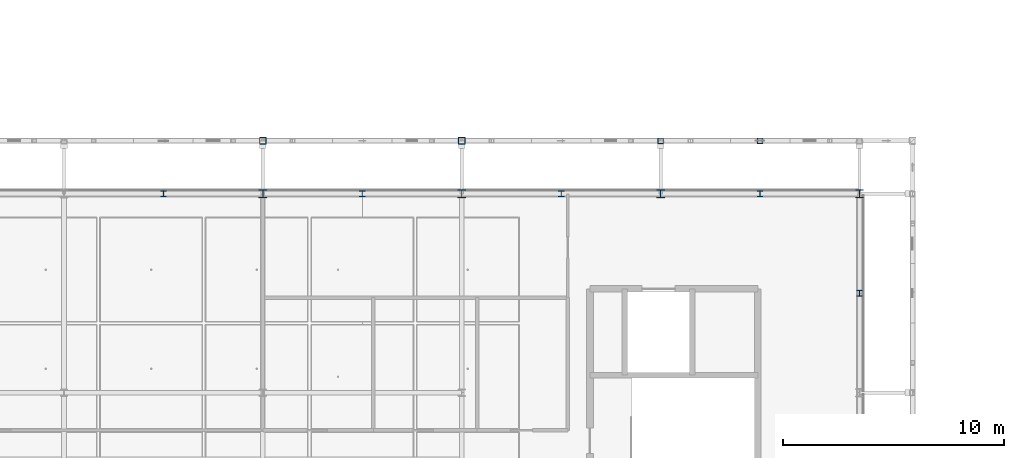
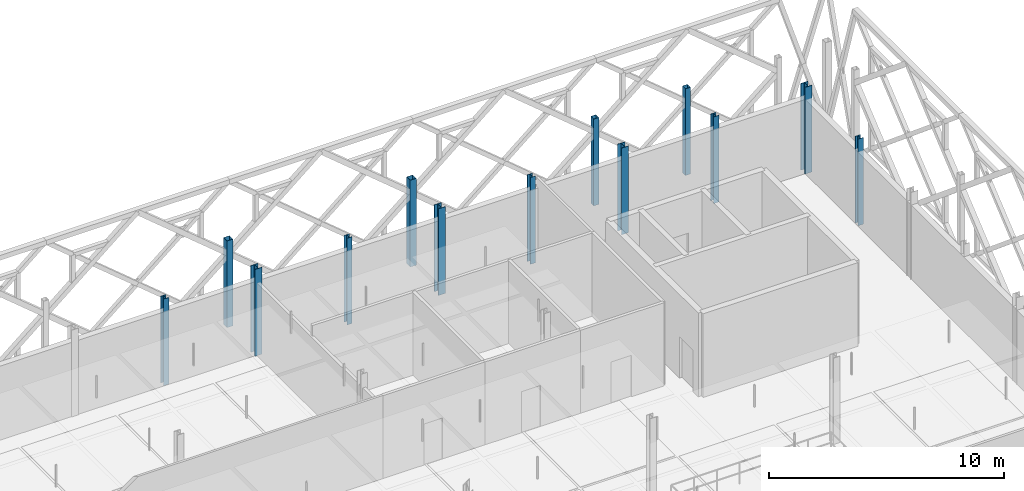
# One storey, part 8 of 66: 13 columns.
"""IFC4 building model written with IfcOpenShell, lengths in metres."""

from ifc_helpers import new_model, si_unit, direction, frame, origin, origin_2d, place, context, subcontext, project, spatial, hollow_rectangle, i_section, extrude, material, material_profile, profile_set, type_object, element, save


model = new_model("IFC4")

# Units and contexts
model_context = context("Model", 3, precision=1e-05, world=origin(), true_north=direction((0.0, 1.0)))
body_context = subcontext(model_context, "Body", "Model", "MODEL_VIEW")
ifc_project = project(units=[si_unit("LENGTHUNIT", "METRE"), si_unit("AREAUNIT", "SQUARE_METRE"), si_unit("VOLUMEUNIT", "CUBIC_METRE"), si_unit("PLANEANGLEUNIT", "RADIAN"), si_unit("MASSUNIT", "GRAM", prefix="KILO"), si_unit("THERMODYNAMICTEMPERATUREUNIT", "KELVIN"), si_unit("POWERUNIT", "WATT")], contexts=[model_context])

# Site, building, storey
site_placement = place(None, origin())
site = spatial("IfcSite", under=ifc_project, at=site_placement, CompositionType="ELEMENT")
building_placement = place(site_placement, origin())
building = spatial("IfcBuilding", under=site, at=building_placement, Name="Tallowbark Science Centre", CompositionType="ELEMENT")
storey_placement = place(building_placement, frame((0.0, 0.0, 18.89990234375)))
storey = spatial("IfcBuildingStorey", under=building, at=storey_placement, Name="L04", CompositionType="ELEMENT", Elevation=18.89990234375)

# Columns
ifc_material_1 = material(Name="White Architectural Painted Steel Grade C350L0 (350 MPa)", Category="steel")
ifc_material_profile_1 = material_profile(ifc_material_1, hollow_rectangle(XDim=0.25, YDim=0.25, WallThickness=0.009033203125, at=origin_2d()), Name="250x250x9.0SHS")
ifc_profile_set_1 = profile_set([ifc_material_profile_1], Name="White Architectural Painted Steel Grade C350L0 (350 MPa)")
column_type_1 = type_object("IfcColumnType", Name="COL-SCR200", PredefinedType="COLUMN", material=ifc_profile_set_1)
for number, where, z_axis, x_axis, name in (
    (1, (94.5, 42.89990234375, 0.0), (0.0, 0.0, 1.0), (1.0, 0.0, 0.0), "Column SCR-N05 L04"),
    (2, (99.0, 42.89990234375, 0.0), (0.0, 0.0, 1.0), (1.0, 0.0, 0.0), "Column SCR-NLNK L04"),
):
    element("IfcColumn", number, at=place(storey_placement, frame(where, z_axis=z_axis, x_axis=x_axis)), inside=storey, type_object=column_type_1, Name=name, PredefinedType="COLUMN", context=body_context, shape_type="SweptSolid", body=[
        extrude(hollow_rectangle(XDim=0.25, YDim=0.25, WallThickness=0.009033203125, at=origin_2d()), origin(), (0.0, 0.0, 1.0), 4.5),
    ])
ifc_material_profile_2 = material_profile(ifc_material_1, hollow_rectangle(XDim=0.300048828125, YDim=0.300048828125, WallThickness=0.010009765625, at=origin_2d()), Name="300x300x10.0SHS")
ifc_profile_set_2 = profile_set([ifc_material_profile_2], Name="White Architectural Painted Steel Grade C350L0 (350 MPa)")
column_type_2 = type_object("IfcColumnType", Name="COL-SCR300", PredefinedType="COLUMN", material=ifc_profile_set_2)
for number, where, z_axis, x_axis, name in (
    (3, (76.5, 42.89990234375, 0.0), (0.0, 0.0, 1.0), (1.0, 0.0, 0.0), "Column SCR-N03 L04"),
    (4, (85.5, 42.89990234375, 0.0), (0.0, 0.0, 1.0), (1.0, 0.0, 0.0), "Column SCR-N04 L04"),
):
    element("IfcColumn", number, at=place(storey_placement, frame(where, z_axis=z_axis, x_axis=x_axis)), inside=storey, type_object=column_type_2, Name=name, PredefinedType="COLUMN", context=body_context, shape_type="SweptSolid", body=[
        extrude(hollow_rectangle(XDim=0.300048828125, YDim=0.300048828125, WallThickness=0.010009765625, at=origin_2d()), origin(), (0.0, 0.0, 1.0), 4.5),
    ])
ifc_material_2 = material(Name="Structural Steel Grade 300PLUS (300 MPa)", Category="steel")
ifc_material_profile_3 = material_profile(ifc_material_2, i_section(OverallWidth=0.35009765625, OverallDepth=0.35888671875, WebThickness=0.01611328125, FlangeThickness=0.02392578125, FilletRadius=0.013916015625, at=origin_2d()), Name="350WC197")
ifc_profile_set_3 = profile_set([ifc_material_profile_3], Name="Structural Steel Grade 300PLUS (300 MPa)")
column_type_3 = type_object("IfcColumnType", Name="COL-WC350", PredefinedType="COLUMN", material=ifc_profile_set_3)
for number, where, z_axis, x_axis, name in (
    (5, (76.5, 40.5, 0.0), (0.0, 0.0, 1.0), (1.0, 0.0, 0.0), "Column CUB-M2_4 L04"),
    (6, (85.5, 40.5, 0.0), (0.0, 0.0, 1.0), (1.0, 0.0, 0.0), "Column CUB-M3_4 L04"),
    (7, (94.5, 40.5, 0.0), (0.0, 0.0, 1.0), (1.0, 0.0, 0.0), "Column CUB-M4_4 L04"),
    (8, (103.5, 40.5, 0.0), (0.0, 0.0, 1.0), (1.0, 0.0, 0.0), "Column CUB-M5_4 L04"),
):
    element("IfcColumn", number, at=place(storey_placement, frame(where, z_axis=z_axis, x_axis=x_axis)), inside=storey, type_object=column_type_3, Name=name, PredefinedType="COLUMN", context=body_context, shape_type="SweptSolid", body=[
        extrude(i_section(OverallWidth=0.35009765625, OverallDepth=0.35888671875, WebThickness=0.01611328125, FlangeThickness=0.02392578125, FilletRadius=0.013916015625, at=origin_2d()), origin(), (0.0, 0.0, 1.0), 4.5),
    ])
ifc_material_profile_4 = material_profile(ifc_material_2, i_section(OverallWidth=0.256103515625, OverallDepth=0.260009765625, WebThickness=0.010498046875, FlangeThickness=0.017333984375, FilletRadius=0.013916015625, at=origin_2d()), Name="250UC89.5")
ifc_profile_set_4 = profile_set([ifc_material_profile_4], Name="Structural Steel Grade 300PLUS (300 MPa)")
column_type_4 = type_object("IfcColumnType", Name="PIL-UC250", PredefinedType="PILASTER", material=ifc_profile_set_4)
for number, where, z_axis, x_axis, name in (
    (9, (72.0, 40.5, 0.0), (0.0, 0.0, 1.0), (1.0, 0.0, 0.0), "Column CUB-PN-1 L04"),
    (10, (81.0, 40.5, 0.0), (0.0, 0.0, 1.0), (1.0, 0.0, 0.0), "Column CUB-PN-2 L04"),
    (11, (90.0, 40.5, 0.0), (0.0, 0.0, 1.0), (1.0, 0.0, 0.0), "Column CUB-PN-3 L04"),
    (12, (99.0, 40.5, 0.0), (0.0, 0.0, 1.0), (1.0, 0.0, 0.0), "Column CUB-PN-4 L04"),
    (13, (103.5, 36.0, 0.0), (0.0, 0.0, 1.0), (1.0, 0.0, 0.0), "Column CUB-PE-3 L04"),
):
    element("IfcColumn", number, at=place(storey_placement, frame(where, z_axis=z_axis, x_axis=x_axis)), inside=storey, type_object=column_type_4, Name=name, PredefinedType="PILASTER", context=body_context, shape_type="SweptSolid", body=[
        extrude(i_section(OverallWidth=0.256103515625, OverallDepth=0.260009765625, WebThickness=0.010498046875, FlangeThickness=0.017333984375, FilletRadius=0.013916015625, at=origin_2d()), origin(), (0.0, 0.0, 1.0), 4.5),
    ])

save(model, "model.ifc")
